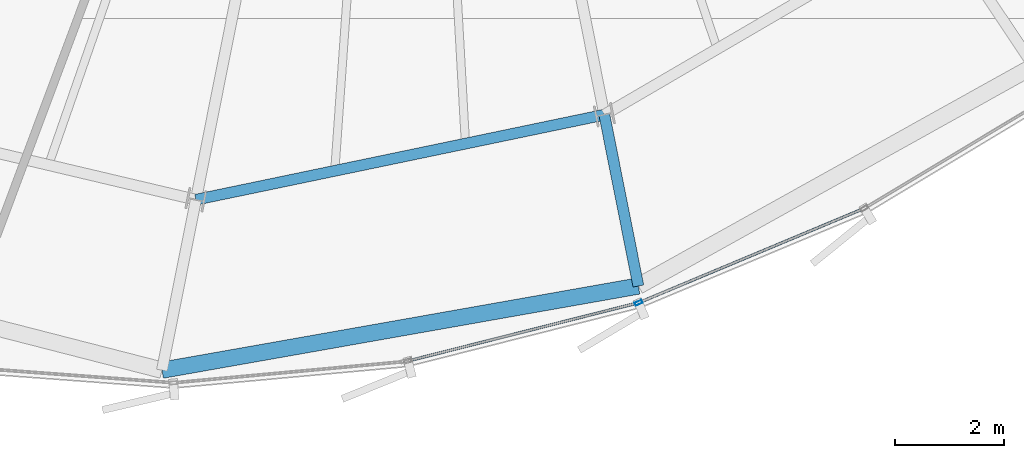
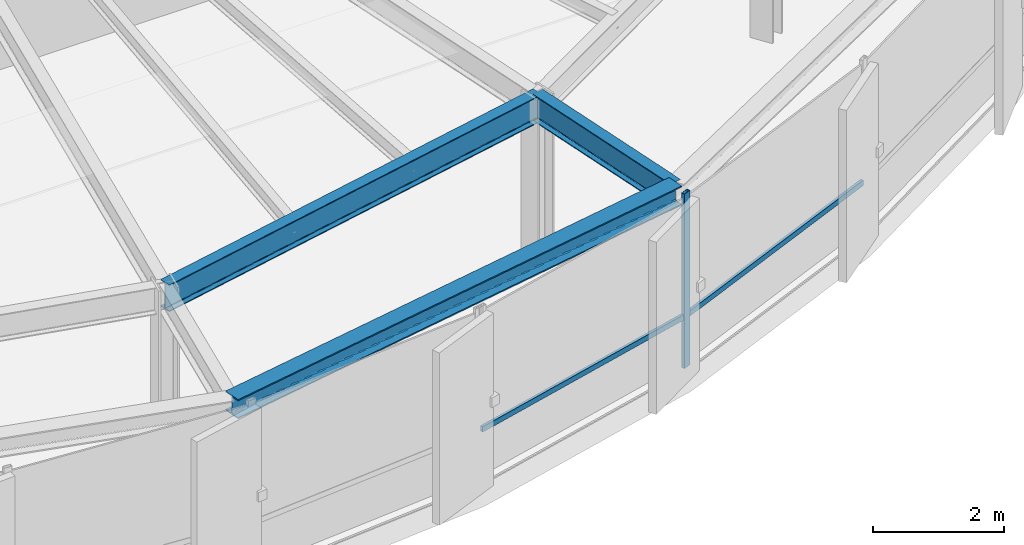
# One storey, part 7 of 36: 3 beams, 3 members, 1 element without a shape of its own.
"""IFC4 building model written with IfcOpenShell, lengths in metres."""

from ifc_helpers import new_model, si_unit, direction, frame, origin, origin_2d, place, context, subcontext, project, spatial, hollow_rectangle, i_section, extrude, source, transform, mapped, material, layer, layer_set, material_profile, profile_set, type_object, element, aggregate, save


model = new_model("IFC4")

# Units and contexts
model_context = context("Model", 3, precision=1e-05, world=origin(), true_north=direction((0.0, 1.0)))
body_context = subcontext(model_context, "Body", "Model", "MODEL_VIEW")
ifc_project = project(units=[si_unit("LENGTHUNIT", "METRE"), si_unit("AREAUNIT", "SQUARE_METRE"), si_unit("VOLUMEUNIT", "CUBIC_METRE"), si_unit("PLANEANGLEUNIT", "RADIAN"), si_unit("MASSUNIT", "GRAM", prefix="KILO"), si_unit("THERMODYNAMICTEMPERATUREUNIT", "KELVIN")], contexts=[model_context])

# Site, building, storey
site_placement = place(None, origin())
site = spatial("IfcSite", under=ifc_project, at=site_placement, CompositionType="ELEMENT")
building_placement = place(site_placement, origin())
building = spatial("IfcBuilding", under=site, at=building_placement, Name="Kethvar Cultural Tower", CompositionType="ELEMENT")
storey_placement = place(building_placement, frame((0.0, 0.0, 176.39990234375)))
storey = spatial("IfcBuildingStorey", under=building, at=storey_placement, Name="L45", CompositionType="ELEMENT", Elevation=176.39990234375)

# Beams
ifc_material_1 = material(Name="Steel S355J2", Category="steel")
ifc_material_profile_1 = material_profile(ifc_material_1, i_section(OverallWidth=0.199951171875, OverallDepth=0.5, WebThickness=0.01025390625, FlangeThickness=0.01611328125, FilletRadius=0.02099609375, at=origin_2d()), Name="Steel S355J2 — IPE500")
ifc_profile_set_1 = profile_set([ifc_material_profile_1], Name="Steel S355J2 — IPE500")
beam_type_1 = type_object("IfcBeamType", Name="BM-IPE500", PredefinedType="BEAM", material=ifc_profile_set_1)
shared_shape_1 = source(origin(), body_context, "Body", "SweptSolid", [
    extrude(i_section(OverallWidth=0.199951171875, OverallDepth=0.5, WebThickness=0.01025390625, FlangeThickness=0.01611328125, FilletRadius=0.02099609375, at=origin_2d()), origin(), (0.0, 0.0, 1.0), 3.199951171875),
])
beam_1_placement = place(storey_placement, frame((50.38671875, 9.7685546875, 3.008056640625), z_axis=(0.195088965533, -0.980785550224, 0.0), x_axis=(0.980785550224, 0.195088965533, 0.0)))
element("IfcBeam", 1, at=beam_1_placement, inside=storey, type_object=beam_type_1, Name="L45 Perimeter Cantilever Beam RC-13", PredefinedType="BEAM", context=body_context, shape_type="MappedRepresentation", body=[
    mapped(shared_shape_1, transform((0.0, 0.0, 0.0), scale=1.0)),
])
shared_shape_2 = source(origin(), body_context, "Body", "SweptSolid", [
    extrude(i_section(OverallWidth=0.199951171875, OverallDepth=0.5, WebThickness=0.01025390625, FlangeThickness=0.01611328125, FilletRadius=0.02099609375, at=origin_2d()), origin(), (0.0, 0.0, 1.0), 7.6435546875),
])
beam_2_placement = place(storey_placement, frame((42.903564453125, 8.2109375, 3.008056640625), z_axis=(0.979016278161, 0.203782057834, 0.0), x_axis=(-0.203782057834, 0.979016278161, 0.0)))
element("IfcBeam", 2, at=beam_2_placement, inside=storey, type_object=beam_type_1, Name="L45 Column Ring Tie Beam CR-12", PredefinedType="BEAM", context=body_context, shape_type="MappedRepresentation", body=[
    mapped(shared_shape_2, transform((0.0, 0.0, 0.0), scale=1.0)),
])
ifc_material_profile_2 = material_profile(ifc_material_1, i_section(OverallWidth=0.300048828125, OverallDepth=0.360107421875, WebThickness=0.012451171875, FlangeThickness=0.0224609375, FilletRadius=0.027099609375, at=origin_2d()), Name="Steel S355J2 — HEB360")
ifc_profile_set_2 = profile_set([ifc_material_profile_2], Name="Steel S355J2 — HEB360")
beam_type_2 = type_object("IfcBeamType", Name="BM-SP360", PredefinedType="SPANDREL", material=ifc_profile_set_2)
shared_shape_3 = source(origin(), body_context, "Body", "SweptSolid", [
    extrude(i_section(OverallWidth=0.300048828125, OverallDepth=0.360107421875, WebThickness=0.012451171875, FlangeThickness=0.0224609375, FilletRadius=0.027099609375, at=origin_2d()), origin(), (0.0, 0.0, 1.0), 8.864013671875),
])
beam_3_placement = place(storey_placement, frame((42.2822265625, 5.087890625, 3.078125), z_axis=(0.98474749133, 0.173989592558, 0.0), x_axis=(-0.173989592558, 0.98474749133, 0.0)))
element("IfcBeam", 3, at=beam_3_placement, inside=storey, type_object=beam_type_2, Name="L45 Perimeter Spandrel Beam SP-12", PredefinedType="SPANDREL", context=body_context, shape_type="MappedRepresentation", body=[
    mapped(shared_shape_3, transform((0.0, 0.0, 0.0), scale=1.0)),
])

# Curtain wall, members
ifc_material_2 = material(Name="Aluminium 6063-T6", Category="aluminium")
ifc_layer = layer(ifc_material_2, 0.179931640625, Name="Aluminium 6063-T6", Category="aluminium")
ifc_layer_set = layer_set([ifc_layer], Name="Aluminium 6063-T6 (180 mm)")
curtain_wall_type = type_object("IfcCurtainWallType", Name="CW-SYS-04-Z34", PredefinedType="NOTDEFINED", material=ifc_layer_set)
curtain_wall_placement = place(storey_placement, origin())
curtain_wall = element("IfcCurtainWall", 4, at=curtain_wall_placement, inside=storey, type_object=curtain_wall_type, Name="L45 Curtain Wall Run 05", PredefinedType="NOTDEFINED")
ifc_material_profile_3 = material_profile(ifc_material_2, hollow_rectangle(XDim=0.06005859375, YDim=0.139892578125, WallThickness=0.0048828125, at=origin_2d()), Name="Aluminium 6063-T6 — RHS140x60x5")
ifc_profile_set_3 = profile_set([ifc_material_profile_3], Name="Aluminium 6063-T6 — RHS140x60x5")
member_type_1 = type_object("IfcMemberType", Name="CW-SYS-04-Z34-MUL", PredefinedType="MULLION", material=ifc_profile_set_3)
shared_shape_4 = source(origin(), body_context, "Body", "SweptSolid", [
    extrude(hollow_rectangle(XDim=0.06005859375, YDim=0.139892578125, WallThickness=0.0048828125, at=origin_2d()), origin(), (0.0, 0.0, 1.0), 3.260009765625),
])
member_1_placement = place(storey_placement, frame((51.014404296875, 6.322509765625, 0.0), z_axis=(0.0, 0.0, 1.0), x_axis=(-0.386099249785, 0.922457245251, 0.0)))
member_1 = element("IfcMember", 5, at=member_1_placement, type_object=member_type_1, Name="CW-L45-R05 Mullion 2", PredefinedType="MULLION", context=body_context, shape_type="MappedRepresentation", body=[
    mapped(shared_shape_4, transform((0.0, 0.0, 0.0), scale=1.0)),
])
ifc_material_profile_4 = material_profile(ifc_material_2, hollow_rectangle(XDim=0.050048828125, YDim=0.10009765625, WallThickness=0.00390625, at=origin_2d()), Name="Aluminium 6063-T6 — RHS100x50x4")
ifc_profile_set_4 = profile_set([ifc_material_profile_4], Name="Aluminium 6063-T6 — RHS100x50x4")
member_type_2 = type_object("IfcMemberType", Name="CW-SYS-04-Z34-TRN", PredefinedType="USERDEFINED", material=ifc_profile_set_4)
shared_shape_5 = source(origin(), body_context, "Body", "SweptSolid", [
    extrude(hollow_rectangle(XDim=0.050048828125, YDim=0.10009765625, WallThickness=0.00390625, at=origin_2d()), origin(), (0.0, 0.0, 1.0), 4.412109375),
])
member_2_placement = place(storey_placement, frame((51.05419921875, 6.339111328125, 0.9501953125), z_axis=(0.922451988268, 0.386111809378, 0.0), x_axis=(-0.386111809378, 0.922451988268, 0.0)))
member_2 = element("IfcMember", 6, at=member_2_placement, type_object=member_type_2, Name="CW-L45-R05 Transom 2", ObjectType="TRANSOM", PredefinedType="USERDEFINED", context=body_context, shape_type="MappedRepresentation", body=[
    mapped(shared_shape_5, transform((0.0, 0.0, 0.0), scale=1.0)),
])
shared_shape_6 = source(origin(), body_context, "Body", "SweptSolid", [
    extrude(hollow_rectangle(XDim=0.050048828125, YDim=0.10009765625, WallThickness=0.00390625, at=origin_2d()), origin(), (0.0, 0.0, 1.0), 4.3271484375),
])
member_3_placement = place(storey_placement, frame((46.792724609375, 5.257080078125, 0.9501953125), z_axis=(0.96952875676, 0.244977529205, 0.0), x_axis=(-0.244977529205, 0.96952875676, 0.0)))
member_3 = element("IfcMember", 7, at=member_3_placement, type_object=member_type_2, Name="CW-L45-R05 Transom 1", ObjectType="TRANSOM", PredefinedType="USERDEFINED", context=body_context, shape_type="MappedRepresentation", body=[
    mapped(shared_shape_6, transform((0.0, 0.0, 0.0), scale=1.0)),
])
aggregate(curtain_wall, [member_1, member_3, member_2])

save(model, "model.ifc")
